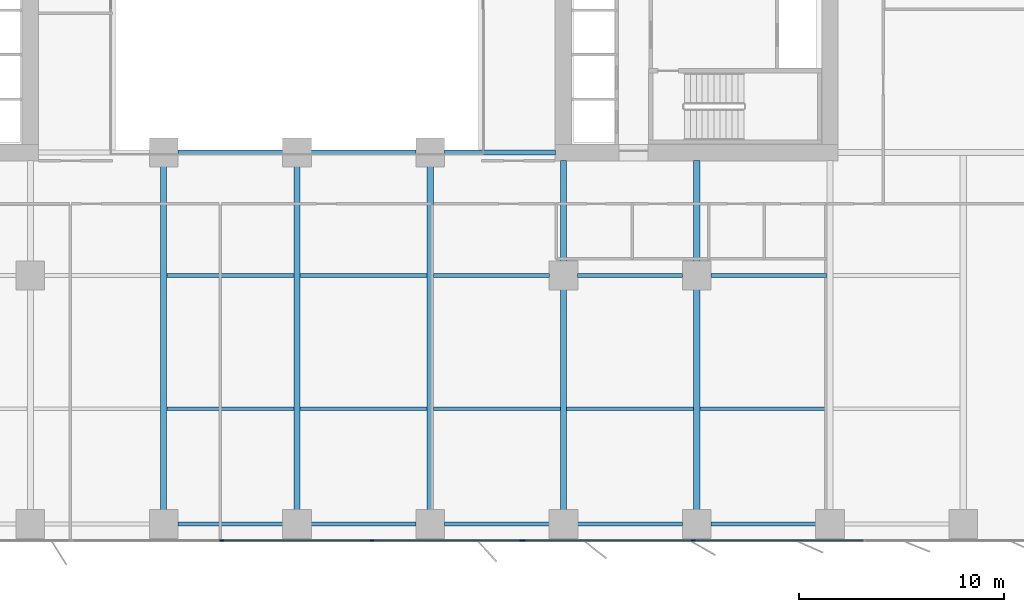
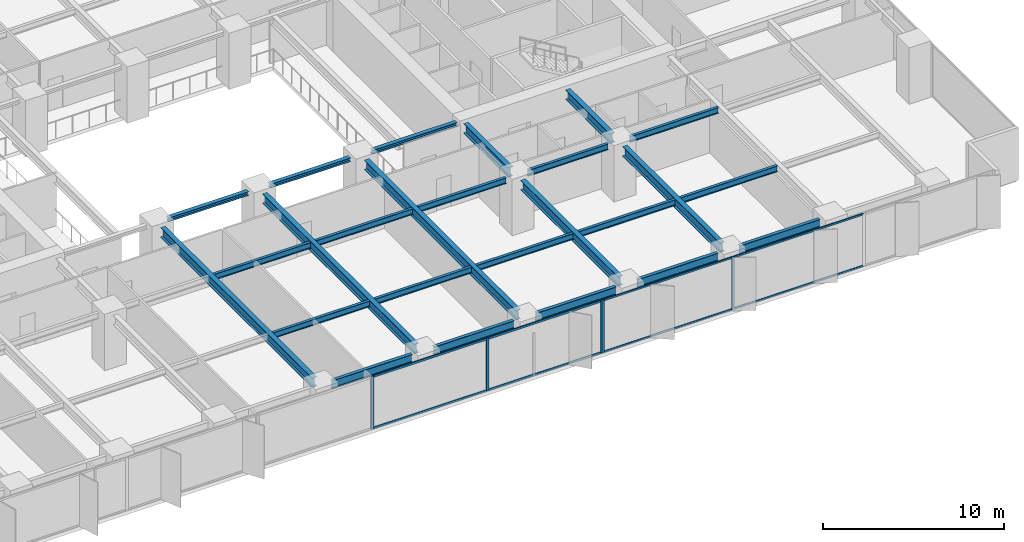
# One storey, part 5 of 20: 25 beams, 13 members, 2 elements without a shape of their own.
"""IFC4 building model written with IfcOpenShell, lengths in metres."""

import ifcopenshell
import ifcopenshell.guid

model = None  # the IFC model being written
_history = None  # IfcOwnerHistory: only IFC2X3 demands one
_inside = {}  # id of a spatial element -> (the spatial element, [elements in it])
_under = {}  # id of a project, library or spatial element -> (it, [spatial elements below it])
_declared = {}  # id of a project -> (the project, [libraries it declares])
_typed = {}  # id of a type object -> (the type object, [elements of that type])
_made_of = {}  # id of a material, layer set ... -> (it, [elements and type objects made of it])


def new_model(schema):
    """Start an empty IFC model of exactly this schema.

    Asked for "IFC4X3", IfcOpenShell would pick the latest addendum, in which some entities
    have other attributes; the version numbers below select the first issue.
    IFC2X3 requires an IfcOwnerHistory on every rooted entity: one is made here for all.
    """
    global model, _history
    if schema == "IFC4X3":
        model = ifcopenshell.file(schema_version=(4, 3, 0, 0))
    else:
        model = ifcopenshell.file(schema=schema)
    _inside.clear()
    _under.clear()
    _declared.clear()
    _typed.clear()
    _made_of.clear()
    _history = None
    if model.schema == "IFC2X3":
        org = make("IfcOrganization", Name="unknown")
        user = make(
            "IfcPersonAndOrganization",
            ThePerson=make("IfcPerson", FamilyName="unknown"),
            TheOrganization=org,
        )
        app = make(
            "IfcApplication",
            ApplicationDeveloper=org,
            Version="unknown",
            ApplicationFullName="unknown",
            ApplicationIdentifier="unknown",
        )
        _history = make(
            "IfcOwnerHistory",
            OwningUser=user,
            OwningApplication=app,
            ChangeAction="ADDED",
            CreationDate=0,
        )
    return model


def make(cls, **values):
    """One entity of the class cls with the attributes given. An attribute that is None is left unset."""
    return model.create_entity(
        cls, **{name: value for name, value in values.items() if value is not None}
    )


def rooted(cls, **values):
    """An entity with a GlobalId (a new one), such as an element, a storey or a relation."""
    return make(cls, GlobalId=ifcopenshell.guid.new(), OwnerHistory=_history, **values)


def si_unit(unit_type, name, prefix=None):
    """IfcSIUnit, for example si_unit("LENGTHUNIT", "METRE", prefix="MILLI")."""
    return make("IfcSIUnit", UnitType=unit_type, Prefix=prefix, Name=name)


def assignment(units):
    """IfcUnitAssignment: the units of a project."""
    return None if units is None else make("IfcUnitAssignment", Units=units)


def point(xyz):
    """IfcCartesianPoint."""
    return None if xyz is None else make("IfcCartesianPoint", Coordinates=xyz)


def direction(xyz):
    """IfcDirection."""
    return None if xyz is None else make("IfcDirection", DirectionRatios=xyz)


def frame(location, z_axis=None, x_axis=None):
    """IfcAxis2Placement3D, a coordinate frame: its origin and axes. An axis left out is left unset."""
    return make(
        "IfcAxis2Placement3D",
        Location=point(location),
        Axis=direction(z_axis),
        RefDirection=direction(x_axis),
    )


def frame_2d(location, x_axis=None):
    """IfcAxis2Placement2D, a coordinate frame in the plane: its origin and x axis."""
    return make(
        "IfcAxis2Placement2D", Location=point(location), RefDirection=direction(x_axis)
    )


def origin():
    """The frame at (0, 0, 0) with its axes left unset."""
    return frame((0.0, 0.0, 0.0))


def origin_2d():
    """The frame at (0, 0) in the plane with its x axis left unset."""
    return frame_2d((0.0, 0.0))


def place(relative_to, where):
    """IfcLocalPlacement: puts the frame where relative to a parent placement (None: the world)."""
    return make(
        "IfcLocalPlacement", PlacementRelTo=relative_to, RelativePlacement=where
    )


def context(
    kind, dimensions, precision=None, world=None, true_north=None, identifier=None
):
    """IfcGeometricRepresentationContext, for example the 3D "Model" context."""
    return make(
        "IfcGeometricRepresentationContext",
        ContextIdentifier=identifier,
        ContextType=kind,
        CoordinateSpaceDimension=dimensions,
        Precision=precision,
        WorldCoordinateSystem=world,
        TrueNorth=true_north,
    )


def subcontext(parent, identifier, kind, view, scale=None):
    """IfcGeometricRepresentationSubContext, for example "Body" below "Model"."""
    return make(
        "IfcGeometricRepresentationSubContext",
        ContextIdentifier=identifier,
        ContextType=kind,
        ParentContext=parent,
        TargetScale=scale,
        TargetView=view,
    )


def project(units=None, contexts=None):
    """IfcProject with its units and contexts."""
    return rooted(
        "IfcProject",
        Name="project",
        RepresentationContexts=contexts,
        UnitsInContext=assignment(units),
    )


def spatial(cls, under=None, at=None, **own):
    """A site, building, storey or space (cls), placed at a placement, below another one or the project."""
    s = rooted(cls, ObjectPlacement=at, **own)
    if under is not None:
        _under.setdefault(under.id(), (under, []))[1].append(s)
    return s


def profile(cls, at=None, kind="AREA", **sizes):
    """A parametric profile (cls). Its sizes go by their IFC names, for example OverallWidth=200.0."""
    return make(cls, ProfileType=kind, Position=at, **sizes)


def rectangle(**sizes):
    """IfcRectangleProfileDef."""
    return profile("IfcRectangleProfileDef", **sizes)


def i_section(**sizes):
    """IfcIShapeProfileDef."""
    return profile("IfcIShapeProfileDef", **sizes)


def extrude(swept, where, along, depth):
    """IfcExtrudedAreaSolid: the profile swept, set in the frame where, extruded along a direction by depth."""
    return make(
        "IfcExtrudedAreaSolid",
        SweptArea=swept,
        Position=where,
        ExtrudedDirection=direction(along),
        Depth=depth,
    )


def shape(context_of_items, identifier, shape_type, items):
    """IfcShapeRepresentation: the items that make up one representation, for example the "Body"."""
    return make(
        "IfcShapeRepresentation",
        ContextOfItems=context_of_items,
        RepresentationIdentifier=identifier,
        RepresentationType=shape_type,
        Items=items,
    )


def material(Name=None, Category=None):
    """IfcMaterial."""
    return make("IfcMaterial", Name=Name, Category=Category)


def layer(
    of_material, thickness, ventilated=None, Name=None, Category=None, Priority=None
):
    """IfcMaterialLayer: one layer of a wall or slab, of a material (None: an air gap)."""
    return make(
        "IfcMaterialLayer",
        Material=of_material,
        LayerThickness=thickness,
        IsVentilated=ventilated,
        Name=Name,
        Category=Category,
        Priority=Priority,
    )


def layer_set(layers, Name=None):
    """IfcMaterialLayerSet."""
    return make("IfcMaterialLayerSet", MaterialLayers=layers, LayerSetName=Name)


def material_profile(
    of_material, cross_section, Name=None, Category=None, Priority=None
):
    """IfcMaterialProfile: a cross section and its material."""
    return make(
        "IfcMaterialProfile",
        Name=Name,
        Material=of_material,
        Profile=cross_section,
        Priority=Priority,
        Category=Category,
    )


def profile_set(profiles, Name=None, composite=None):
    """IfcMaterialProfileSet."""
    return make(
        "IfcMaterialProfileSet",
        Name=Name,
        MaterialProfiles=profiles,
        CompositeProfile=composite,
    )


def made_of(thing, what):
    """Note that an element or type object is made of a material, layer set ...; save() writes the relation."""
    if what is not None:
        _made_of.setdefault(what.id(), (what, []))[1].append(thing)
    return thing


def type_object(cls, material=None, **own):
    """A type object (cls), such as IfcWallType, which elements share."""
    return made_of(rooted(cls, **own), material)


def element(
    cls,
    number,
    at=None,
    inside=None,
    cuts=None,
    type_object=None,
    material=None,
    context=None,
    identifier="Body",
    shape_type=None,
    held_by="IfcProductDefinitionShape",
    body=None,
    shapes=None,
    **own,
):
    """One element of the class cls, such as IfcWall. Its Tag is "e" and its number.

    at: its placement. inside: the storey or other place that contains it. cuts: it is an
    opening in that element (IfcRelVoidsElement). A single representation is given by context,
    identifier, shape_type and body (its items); several are given by shapes. held_by: the class
    of the entity that holds the representations. save() writes the other relations.
    """
    e = rooted(cls, Tag="e%d" % number, ObjectPlacement=at, **own)
    if body is not None:
        shapes = [shape(context, identifier, shape_type, body)]
    if shapes is not None:
        e.Representation = make(held_by, Representations=shapes)
    if inside is not None:
        _inside.setdefault(inside.id(), (inside, []))[1].append(e)
    if cuts is not None:
        rooted(
            "IfcRelVoidsElement", RelatingBuildingElement=cuts, RelatedOpeningElement=e
        )
    if type_object is not None:
        _typed.setdefault(type_object.id(), (type_object, []))[1].append(e)
    return made_of(e, material)


def aggregate(whole, parts):
    """IfcRelAggregates: a whole, such as a stair, and the parts it consists of."""
    return rooted("IfcRelAggregates", RelatingObject=whole, RelatedObjects=parts)


def save(model, path):
    """Write the relations noted so far, then the file.

    IfcRelAggregates (storeys below a building ...), IfcRelContainedInSpatialStructure (elements
    in a storey), IfcRelDefinesByType, IfcRelAssociatesMaterial and IfcRelDeclares: one each for
    every whole, place, type object, material and project.
    """
    for whole, parts in _under.values():
        aggregate(whole, parts)
    for where, things in _inside.values():
        rooted(
            "IfcRelContainedInSpatialStructure",
            RelatedElements=things,
            RelatingStructure=where,
        )
    for kind, things in _typed.values():
        rooted("IfcRelDefinesByType", RelatedObjects=things, RelatingType=kind)
    for what, things in _made_of.values():
        rooted("IfcRelAssociatesMaterial", RelatedObjects=things, RelatingMaterial=what)
    for by, libraries in _declared.values():
        rooted("IfcRelDeclares", RelatingContext=by, RelatedDefinitions=libraries)
    model.write(path)


model = new_model("IFC4")

# Units and contexts
model_context = context("Model", 3, precision=1e-05, world=origin(), true_north=direction((0.0, 1.0)))
body_context = subcontext(model_context, "Body", "Model", "MODEL_VIEW")
ifc_project = project(units=[si_unit("LENGTHUNIT", "METRE"), si_unit("AREAUNIT", "SQUARE_METRE"), si_unit("VOLUMEUNIT", "CUBIC_METRE"), si_unit("PLANEANGLEUNIT", "RADIAN"), si_unit("MASSUNIT", "GRAM", prefix="KILO")], contexts=[model_context])

# Site, building, storey
site_placement = place(None, origin())
site = spatial("IfcSite", under=ifc_project, at=site_placement, CompositionType="ELEMENT")
building_placement = place(site_placement, origin())
building = spatial("IfcBuilding", under=site, at=building_placement, Name="Putna Gate Headquarters", CompositionType="ELEMENT")
storey_placement = place(building_placement, frame((0.0, 0.0, 69.60009765625)))
storey = spatial("IfcBuildingStorey", under=building, at=storey_placement, Name="L16", CompositionType="ELEMENT", Elevation=69.60009765625)

# Beams
ifc_material_1 = material(Name="Steel S355J2", Category="steel")
ifc_material_profile_1 = material_profile(ifc_material_1, i_section(OverallWidth=0.260009765625, OverallDepth=0.260009765625, WebThickness=0.010009765625, FlangeThickness=0.017578125, at=origin_2d()), Name="Steel S355J2")
ifc_profile_set_1 = profile_set([ifc_material_profile_1], Name="Steel S355J2")
beam_type_1 = type_object("IfcBeamType", Name="BM-ATRIUM-HEB260", PredefinedType="BEAM", material=ifc_profile_set_1)
for number, where, z_axis, x_axis, name in (
    (1, (33.18798828125, 19.0, 3.419921875), (1.0, 0.0, 0.0), (0.0, 1.0, 0.0), "L16 Atrium Edge Beam AS2"),
    (2, (39.68798828125, 19.0, 3.419921875), (1.0, 0.0, 0.0), (0.0, 1.0, 0.0), "L16 Atrium Edge Beam AS3"),
):
    element("IfcBeam", number, at=place(storey_placement, frame(where, z_axis=z_axis, x_axis=x_axis)), inside=storey, type_object=beam_type_1, Name=name, PredefinedType="BEAM", context=body_context, shape_type="SweptSolid", body=[
        extrude(i_section(OverallWidth=0.260009765625, OverallDepth=0.260009765625, WebThickness=0.010009765625, FlangeThickness=0.017578125, at=origin_2d()), origin(), (0.0, 0.0, 1.0), 5.1240234375),
    ])
beam_1_placement = place(storey_placement, frame((46.18798828125, 19.0, 3.419921875), z_axis=(1.0, 0.0, 0.0), x_axis=(0.0, 1.0, 0.0)))
element("IfcBeam", 3, at=beam_1_placement, inside=storey, type_object=beam_type_1, Name="L16 Atrium Edge Beam AS4", PredefinedType="BEAM", context=body_context, shape_type="SweptSolid", body=[
    extrude(i_section(OverallWidth=0.260009765625, OverallDepth=0.260009765625, WebThickness=0.010009765625, FlangeThickness=0.017578125, at=origin_2d()), origin(), (0.0, 0.0, 1.0), 5.427001953125),
])
ifc_material_profile_2 = material_profile(ifc_material_1, i_section(OverallWidth=0.300048828125, OverallDepth=0.64990234375, WebThickness=0.01611328125, FlangeThickness=0.031005859375, at=origin_2d()), Name="Steel S355J2")
ifc_profile_set_2 = profile_set([ifc_material_profile_2], Name="Steel S355J2")
beam_type_2 = type_object("IfcBeamType", Name="BM-GIRD-Z1-HEB650", PredefinedType="USERDEFINED", material=ifc_profile_set_2)
for number, where, z_axis, x_axis, name in (
    (4, (32.5, 1.568115234375, 3.224853515625), (0.0, 1.0, 0.0), (-1.0, 0.0, 0.0), "L16 South Primary Girder X32"),
    (5, (39.0, 1.568115234375, 3.224853515625), (0.0, 1.0, 0.0), (-1.0, 0.0, 0.0), "L16 South Primary Girder X39"),
    (6, (45.5, 1.568115234375, 3.224853515625), (0.0, 1.0, 0.0), (-1.0, 0.0, 0.0), "L16 South Primary Girder X45"),
):
    element("IfcBeam", number, at=place(storey_placement, frame(where, z_axis=z_axis, x_axis=x_axis)), inside=storey, type_object=beam_type_2, Name=name, ObjectType="GIRDER", PredefinedType="USERDEFINED", context=body_context, shape_type="SweptSolid", body=[
        extrude(i_section(OverallWidth=0.300048828125, OverallDepth=0.64990234375, WebThickness=0.01611328125, FlangeThickness=0.031005859375, at=origin_2d()), origin(), (0.0, 0.0, 1.0), 16.743896484375),
    ])
beam_2_placement = place(storey_placement, frame((52.0, 1.568115234375, 3.224853515625), z_axis=(0.0, 1.0, 0.0), x_axis=(-1.0, 0.0, 0.0)))
element("IfcBeam", 7, at=beam_2_placement, inside=storey, type_object=beam_type_2, Name="L16 South Primary Girder X52-1", ObjectType="GIRDER", PredefinedType="USERDEFINED", context=body_context, shape_type="SweptSolid", body=[
    extrude(i_section(OverallWidth=0.300048828125, OverallDepth=0.64990234375, WebThickness=0.01611328125, FlangeThickness=0.031005859375, at=origin_2d()), origin(), (0.0, 0.0, 1.0), 10.743896484375),
])
beam_3_placement = place(storey_placement, frame((52.0, 13.68798828125, 3.224853515625), z_axis=(0.0, 1.0, 0.0), x_axis=(-1.0, 0.0, 0.0)))
element("IfcBeam", 8, at=beam_3_placement, inside=storey, type_object=beam_type_2, Name="L16 South Primary Girder X52-2", ObjectType="GIRDER", PredefinedType="USERDEFINED", context=body_context, shape_type="SweptSolid", body=[
    extrude(i_section(OverallWidth=0.300048828125, OverallDepth=0.64990234375, WebThickness=0.01611328125, FlangeThickness=0.031005859375, at=origin_2d()), origin(), (0.0, 0.0, 1.0), 4.927001953125),
])
beam_4_placement = place(storey_placement, frame((58.5, 1.568115234375, 3.224853515625), z_axis=(0.0, 1.0, 0.0), x_axis=(-1.0, 0.0, 0.0)))
element("IfcBeam", 9, at=beam_4_placement, inside=storey, type_object=beam_type_2, Name="L16 South Primary Girder X58-1", ObjectType="GIRDER", PredefinedType="USERDEFINED", context=body_context, shape_type="SweptSolid", body=[
    extrude(i_section(OverallWidth=0.300048828125, OverallDepth=0.64990234375, WebThickness=0.01611328125, FlangeThickness=0.031005859375, at=origin_2d()), origin(), (0.0, 0.0, 1.0), 10.743896484375),
])
beam_5_placement = place(storey_placement, frame((58.5, 13.68798828125, 3.224853515625), z_axis=(0.0, 1.0, 0.0), x_axis=(-1.0, 0.0, 0.0)))
element("IfcBeam", 10, at=beam_5_placement, inside=storey, type_object=beam_type_2, Name="L16 South Primary Girder X58-2", ObjectType="GIRDER", PredefinedType="USERDEFINED", context=body_context, shape_type="SweptSolid", body=[
    extrude(i_section(OverallWidth=0.300048828125, OverallDepth=0.64990234375, WebThickness=0.01611328125, FlangeThickness=0.031005859375, at=origin_2d()), origin(), (0.0, 0.0, 1.0), 4.927001953125),
])
ifc_material_profile_3 = material_profile(ifc_material_1, i_section(OverallWidth=0.179931640625, OverallDepth=0.39990234375, WebThickness=0.008544921875, FlangeThickness=0.013427734375, at=origin_2d()), Name="Steel S355J2")
ifc_profile_set_3 = profile_set([ifc_material_profile_3], Name="Steel S355J2")
beam_type_3 = type_object("IfcBeamType", Name="BM-SEC-Z1-IPE400", PredefinedType="BEAM", material=ifc_profile_set_3)
for number, where, z_axis, x_axis, name in (
    (11, (32.654052734375, 6.5, 3.349853515625), (1.0, 0.0, 0.0), (0.0, 1.0, 0.0), "L16 South Secondary Beam 5"),
    (12, (32.654052734375, 13.0, 3.349853515625), (1.0, 0.0, 0.0), (0.0, 1.0, 0.0), "L16 South Secondary Beam 5"),
    (13, (39.154052734375, 6.5, 3.349853515625), (1.0, 0.0, 0.0), (0.0, 1.0, 0.0), "L16 South Secondary Beam 6"),
    (14, (39.154052734375, 13.0, 3.349853515625), (1.0, 0.0, 0.0), (0.0, 1.0, 0.0), "L16 South Secondary Beam 6"),
    (15, (45.654052734375, 6.5, 3.349853515625), (1.0, 0.0, 0.0), (0.0, 1.0, 0.0), "L16 South Secondary Beam 7"),
):
    element("IfcBeam", number, at=place(storey_placement, frame(where, z_axis=z_axis, x_axis=x_axis)), inside=storey, type_object=beam_type_3, Name=name, PredefinedType="BEAM", context=body_context, shape_type="SweptSolid", body=[
        extrude(i_section(OverallWidth=0.179931640625, OverallDepth=0.39990234375, WebThickness=0.008544921875, FlangeThickness=0.013427734375, at=origin_2d()), origin(), (0.0, 0.0, 1.0), 6.19189453125),
    ])
beam_6_placement = place(storey_placement, frame((45.654052734375, 13.0, 3.349853515625), z_axis=(1.0, 0.0, 0.0), x_axis=(0.0, 1.0, 0.0)))
element("IfcBeam", 16, at=beam_6_placement, inside=storey, type_object=beam_type_3, Name="L16 South Secondary Beam 7", PredefinedType="BEAM", context=body_context, shape_type="SweptSolid", body=[
    extrude(i_section(OverallWidth=0.179931640625, OverallDepth=0.39990234375, WebThickness=0.008544921875, FlangeThickness=0.013427734375, at=origin_2d()), origin(), (0.0, 0.0, 1.0), 5.657958984375),
])
beam_7_placement = place(storey_placement, frame((52.154052734375, 6.5, 3.349853515625), z_axis=(1.0, 0.0, 0.0), x_axis=(0.0, 1.0, 0.0)))
element("IfcBeam", 17, at=beam_7_placement, inside=storey, type_object=beam_type_3, Name="L16 South Secondary Beam 8", PredefinedType="BEAM", context=body_context, shape_type="SweptSolid", body=[
    extrude(i_section(OverallWidth=0.179931640625, OverallDepth=0.39990234375, WebThickness=0.008544921875, FlangeThickness=0.013427734375, at=origin_2d()), origin(), (0.0, 0.0, 1.0), 6.19189453125),
])
beam_8_placement = place(storey_placement, frame((52.68798828125, 13.0, 3.349853515625), z_axis=(1.0, 0.0, 0.0), x_axis=(0.0, 1.0, 0.0)))
element("IfcBeam", 18, at=beam_8_placement, inside=storey, type_object=beam_type_3, Name="L16 South Secondary Beam 8", PredefinedType="BEAM", context=body_context, shape_type="SweptSolid", body=[
    extrude(i_section(OverallWidth=0.179931640625, OverallDepth=0.39990234375, WebThickness=0.008544921875, FlangeThickness=0.013427734375, at=origin_2d()), origin(), (0.0, 0.0, 1.0), 5.1240234375),
])
beam_9_placement = place(storey_placement, frame((58.654052734375, 6.5, 3.349853515625), z_axis=(1.0, 0.0, 0.0), x_axis=(0.0, 1.0, 0.0)))
element("IfcBeam", 19, at=beam_9_placement, inside=storey, type_object=beam_type_3, Name="L16 South Secondary Beam 9", PredefinedType="BEAM", context=body_context, shape_type="SweptSolid", body=[
    extrude(i_section(OverallWidth=0.179931640625, OverallDepth=0.39990234375, WebThickness=0.008544921875, FlangeThickness=0.013427734375, at=origin_2d()), origin(), (0.0, 0.0, 1.0), 6.19189453125),
])
beam_10_placement = place(storey_placement, frame((59.18798828125, 13.0, 3.349853515625), z_axis=(1.0, 0.0, 0.0), x_axis=(0.0, 1.0, 0.0)))
element("IfcBeam", 20, at=beam_10_placement, inside=storey, type_object=beam_type_3, Name="L16 South Secondary Beam 9", PredefinedType="BEAM", context=body_context, shape_type="SweptSolid", body=[
    extrude(i_section(OverallWidth=0.179931640625, OverallDepth=0.39990234375, WebThickness=0.008544921875, FlangeThickness=0.013427734375, at=origin_2d()), origin(), (0.0, 0.0, 1.0), 5.657958984375),
])
ifc_material_profile_4 = material_profile(ifc_material_1, i_section(OverallWidth=0.2099609375, OverallDepth=0.550048828125, WebThickness=0.010986328125, FlangeThickness=0.01708984375, at=origin_2d()), Name="Steel S355J2")
ifc_profile_set_4 = profile_set([ifc_material_profile_4], Name="Steel S355J2")
beam_type_4 = type_object("IfcBeamType", Name="BM-SPAN-Z1-IPE550", PredefinedType="SPANDREL", material=ifc_profile_set_4)
for number, where, z_axis, x_axis, name in (
    (21, (33.18798828125, 0.8798828125, 3.27490234375), (1.0, 0.0, 0.0), (0.0, 1.0, 0.0), "L16 S Perimeter Spandrel 5"),
    (22, (39.68798828125, 0.8798828125, 3.27490234375), (1.0, 0.0, 0.0), (0.0, 1.0, 0.0), "L16 S Perimeter Spandrel 6"),
    (23, (46.18798828125, 0.8798828125, 3.27490234375), (1.0, 0.0, 0.0), (0.0, 1.0, 0.0), "L16 S Perimeter Spandrel 7"),
    (24, (52.68798828125, 0.8798828125, 3.27490234375), (1.0, 0.0, 0.0), (0.0, 1.0, 0.0), "L16 S Perimeter Spandrel 8"),
    (25, (59.18798828125, 0.8798828125, 3.27490234375), (1.0, 0.0, 0.0), (0.0, 1.0, 0.0), "L16 S Perimeter Spandrel 9"),
):
    element("IfcBeam", number, at=place(storey_placement, frame(where, z_axis=z_axis, x_axis=x_axis)), inside=storey, type_object=beam_type_4, Name=name, PredefinedType="SPANDREL", context=body_context, shape_type="SweptSolid", body=[
        extrude(i_section(OverallWidth=0.2099609375, OverallDepth=0.550048828125, WebThickness=0.010986328125, FlangeThickness=0.01708984375, at=origin_2d()), origin(), (0.0, 0.0, 1.0), 5.1240234375),
    ])

# Curtain wall, members
ifc_material_2 = material(Name="Anodised bronze aluminium curtain wall", Category="aluminium")
ifc_layer_1 = layer(ifc_material_2, 0.179931640625)
ifc_layer_set_1 = layer_set([ifc_layer_1], Name="Anodised bronze aluminium curtain wall")
curtain_wall_type_1 = type_object("IfcCurtainWallType", Name="CW-SYS-Z1", PredefinedType="USERDEFINED", material=ifc_layer_set_1)
curtain_wall_1_placement = place(storey_placement, origin())
curtain_wall_1 = element("IfcCurtainWall", 26, at=curtain_wall_1_placement, inside=storey, type_object=curtain_wall_type_1, Name="L16 South East Curtain Wall", ObjectType="STICK CURTAIN WALL", PredefinedType="USERDEFINED")
ifc_material_3 = material(Name="Anodised bronze aluminium EN AW-6060", Category="aluminium")
ifc_material_profile_5 = material_profile(ifc_material_3, rectangle(XDim=0.070068359375, YDim=0.179931640625, at=origin_2d()), Name="Anodised bronze aluminium EN AW-6060")
ifc_profile_set_5 = profile_set([ifc_material_profile_5], Name="Anodised bronze aluminium EN AW-6060")
member_type_1 = type_object("IfcMemberType", Name="MULL-CWM-1", PredefinedType="MULLION", material=ifc_profile_set_5)
member_1_placement = place(storey_placement, frame((50.034912109375, 0.080078125, 0.0), z_axis=(0.0, 0.0, 1.0), x_axis=(0.0, 1.0, 0.0)))
member_1 = element("IfcMember", 27, at=member_1_placement, type_object=member_type_1, Name="CWS-1 mullion 1", PredefinedType="MULLION", context=body_context, shape_type="SweptSolid", body=[
    extrude(rectangle(XDim=0.070068359375, YDim=0.179931640625, at=origin_2d()), origin(), (0.0, 0.0, 1.0), 3.5498046875),
])
member_2_placement = place(storey_placement, frame((58.333251953125, 0.080078125, 0.0), z_axis=(0.0, 0.0, 1.0), x_axis=(0.0, 1.0, 0.0)))
member_2 = element("IfcMember", 28, at=member_2_placement, type_object=member_type_1, Name="CWS-1 mullion 2", PredefinedType="MULLION", context=body_context, shape_type="SweptSolid", body=[
    extrude(rectangle(XDim=0.070068359375, YDim=0.179931640625, at=origin_2d()), origin(), (0.0, 0.0, 1.0), 3.5498046875),
])

ifc_layer_2 = layer(ifc_material_2, 0.179931640625)
ifc_layer_set_2 = layer_set([ifc_layer_2], Name="Anodised bronze aluminium curtain wall")
curtain_wall_type_2 = type_object("IfcCurtainWallType", Name="CW-SYS-ATR", PredefinedType="USERDEFINED", material=ifc_layer_set_2)
curtain_wall_2_placement = place(storey_placement, origin())
curtain_wall_2 = element("IfcCurtainWall", 29, at=curtain_wall_2_placement, inside=storey, type_object=curtain_wall_type_2, Name="L16 South Atrium Clear Glazing", ObjectType="ATRIUM GLAZING", PredefinedType="USERDEFINED")
ifc_material_profile_6 = material_profile(ifc_material_3, rectangle(XDim=0.070068359375, YDim=0.179931640625, at=origin_2d()), Name="Anodised bronze aluminium EN AW-6060")
ifc_profile_set_6 = profile_set([ifc_material_profile_6], Name="Anodised bronze aluminium EN AW-6060")
member_type_2 = type_object("IfcMemberType", Name="MULL-CWM-AT", PredefinedType="MULLION", material=ifc_profile_set_6)
member_3_placement = place(storey_placement, frame((35.333251953125, 0.080078125, 0.0), z_axis=(0.0, 0.0, 1.0), x_axis=(0.0, 1.0, 0.0)))
member_3 = element("IfcMember", 30, at=member_3_placement, type_object=member_type_2, Name="CWS-AT mullion 2", PredefinedType="MULLION", context=body_context, shape_type="SweptSolid", body=[
    extrude(rectangle(XDim=0.070068359375, YDim=0.179931640625, at=origin_2d()), origin(), (0.0, 0.0, 1.0), 3.5498046875),
])
member_4_placement = place(storey_placement, frame((42.666748046875, 0.080078125, 0.0), z_axis=(0.0, 0.0, 1.0), x_axis=(0.0, 1.0, 0.0)))
member_4 = element("IfcMember", 31, at=member_4_placement, type_object=member_type_2, Name="CWS-AT mullion 3", PredefinedType="MULLION", context=body_context, shape_type="SweptSolid", body=[
    extrude(rectangle(XDim=0.070068359375, YDim=0.179931640625, at=origin_2d()), origin(), (0.0, 0.0, 1.0), 3.5498046875),
])
member_5_placement = place(storey_placement, frame((49.965087890625, 0.080078125, 0.0), z_axis=(0.0, 0.0, 1.0), x_axis=(0.0, 1.0, 0.0)))
member_5 = element("IfcMember", 32, at=member_5_placement, type_object=member_type_2, Name="CWS-AT mullion 4", PredefinedType="MULLION", context=body_context, shape_type="SweptSolid", body=[
    extrude(rectangle(XDim=0.070068359375, YDim=0.179931640625, at=origin_2d()), origin(), (0.0, 0.0, 1.0), 3.5498046875),
])

# Member
ifc_material_profile_7 = material_profile(ifc_material_3, rectangle(XDim=0.06494140625, YDim=0.1201171875, at=origin_2d()), Name="Anodised bronze aluminium EN AW-6060")
ifc_profile_set_7 = profile_set([ifc_material_profile_7], Name="Anodised bronze aluminium EN AW-6060")
member_type_3 = type_object("IfcMemberType", Name="TRAN-CWT-1", PredefinedType="USERDEFINED", material=ifc_profile_set_7)
member_6_placement = place(storey_placement, frame((50.070068359375, 0.080078125, 0.032470703125), z_axis=(1.0, 0.0, 0.0), x_axis=(0.0, 1.0, 0.0)))
member_6 = element("IfcMember", 33, at=member_6_placement, type_object=member_type_3, Name="CWS-1 transom 1.1", ObjectType="TRANSOM", PredefinedType="USERDEFINED", context=body_context, shape_type="SweptSolid", body=[
    extrude(rectangle(XDim=0.06494140625, YDim=0.1201171875, at=origin_2d()), origin(), (0.0, 0.0, 1.0), 8.228271484375),
])

member_7_placement = place(storey_placement, frame((50.070068359375, 0.080078125, 3.517333984375), z_axis=(1.0, 0.0, 0.0), x_axis=(0.0, 1.0, 0.0)))
member_7 = element("IfcMember", 34, at=member_7_placement, type_object=member_type_3, Name="CWS-1 transom 1.2", ObjectType="TRANSOM", PredefinedType="USERDEFINED", context=body_context, shape_type="SweptSolid", body=[
    extrude(rectangle(XDim=0.06494140625, YDim=0.1201171875, at=origin_2d()), origin(), (0.0, 0.0, 1.0), 8.228271484375),
])

member_8_placement = place(storey_placement, frame((58.368408203125, 0.080078125, 0.032470703125), z_axis=(1.0, 0.0, 0.0), x_axis=(0.0, 1.0, 0.0)))
member_8 = element("IfcMember", 35, at=member_8_placement, type_object=member_type_3, Name="CWS-1 transom 2.1", ObjectType="TRANSOM", PredefinedType="USERDEFINED", context=body_context, shape_type="SweptSolid", body=[
    extrude(rectangle(XDim=0.06494140625, YDim=0.1201171875, at=origin_2d()), origin(), (0.0, 0.0, 1.0), 8.26318359375),
])

member_9_placement = place(storey_placement, frame((58.368408203125, 0.080078125, 3.517333984375), z_axis=(1.0, 0.0, 0.0), x_axis=(0.0, 1.0, 0.0)))
member_9 = element("IfcMember", 36, at=member_9_placement, type_object=member_type_3, Name="CWS-1 transom 2.2", ObjectType="TRANSOM", PredefinedType="USERDEFINED", context=body_context, shape_type="SweptSolid", body=[
    extrude(rectangle(XDim=0.06494140625, YDim=0.1201171875, at=origin_2d()), origin(), (0.0, 0.0, 1.0), 8.26318359375),
])

aggregate(curtain_wall_1, [member_1, member_2, member_6, member_7, member_8, member_9])

ifc_material_profile_8 = material_profile(ifc_material_3, rectangle(XDim=0.070068359375, YDim=0.139892578125, at=origin_2d()), Name="Anodised bronze aluminium EN AW-6060")
ifc_profile_set_8 = profile_set([ifc_material_profile_8], Name="Anodised bronze aluminium EN AW-6060")
member_type_4 = type_object("IfcMemberType", Name="TRAN-CWT-AT", PredefinedType="USERDEFINED", material=ifc_profile_set_8)
member_10_placement = place(storey_placement, frame((35.368408203125, 0.080078125, 0.034912109375), z_axis=(1.0, 0.0, 0.0), x_axis=(0.0, 1.0, 0.0)))
member_10 = element("IfcMember", 37, at=member_10_placement, type_object=member_type_4, Name="CWS-AT transom 2.1", ObjectType="TRANSOM", PredefinedType="USERDEFINED", context=body_context, shape_type="SweptSolid", body=[
    extrude(rectangle(XDim=0.070068359375, YDim=0.139892578125, at=origin_2d()), origin(), (0.0, 0.0, 1.0), 7.26318359375),
])

member_11_placement = place(storey_placement, frame((35.368408203125, 0.080078125, 3.514892578125), z_axis=(1.0, 0.0, 0.0), x_axis=(0.0, 1.0, 0.0)))
member_11 = element("IfcMember", 38, at=member_11_placement, type_object=member_type_4, Name="CWS-AT transom 2.2", ObjectType="TRANSOM", PredefinedType="USERDEFINED", context=body_context, shape_type="SweptSolid", body=[
    extrude(rectangle(XDim=0.070068359375, YDim=0.139892578125, at=origin_2d()), origin(), (0.0, 0.0, 1.0), 7.26318359375),
])

member_12_placement = place(storey_placement, frame((42.70166015625, 0.080078125, 0.034912109375), z_axis=(1.0, 0.0, 0.0), x_axis=(0.0, 1.0, 0.0)))
member_12 = element("IfcMember", 39, at=member_12_placement, type_object=member_type_4, Name="CWS-AT transom 3.1", ObjectType="TRANSOM", PredefinedType="USERDEFINED", context=body_context, shape_type="SweptSolid", body=[
    extrude(rectangle(XDim=0.070068359375, YDim=0.139892578125, at=origin_2d()), origin(), (0.0, 0.0, 1.0), 7.228271484375),
])

member_13_placement = place(storey_placement, frame((42.70166015625, 0.080078125, 3.514892578125), z_axis=(1.0, 0.0, 0.0), x_axis=(0.0, 1.0, 0.0)))
member_13 = element("IfcMember", 40, at=member_13_placement, type_object=member_type_4, Name="CWS-AT transom 3.2", ObjectType="TRANSOM", PredefinedType="USERDEFINED", context=body_context, shape_type="SweptSolid", body=[
    extrude(rectangle(XDim=0.070068359375, YDim=0.139892578125, at=origin_2d()), origin(), (0.0, 0.0, 1.0), 7.228271484375),
])

aggregate(curtain_wall_2, [member_3, member_4, member_5, member_10, member_11, member_12, member_13])

save(model, "model.ifc")
